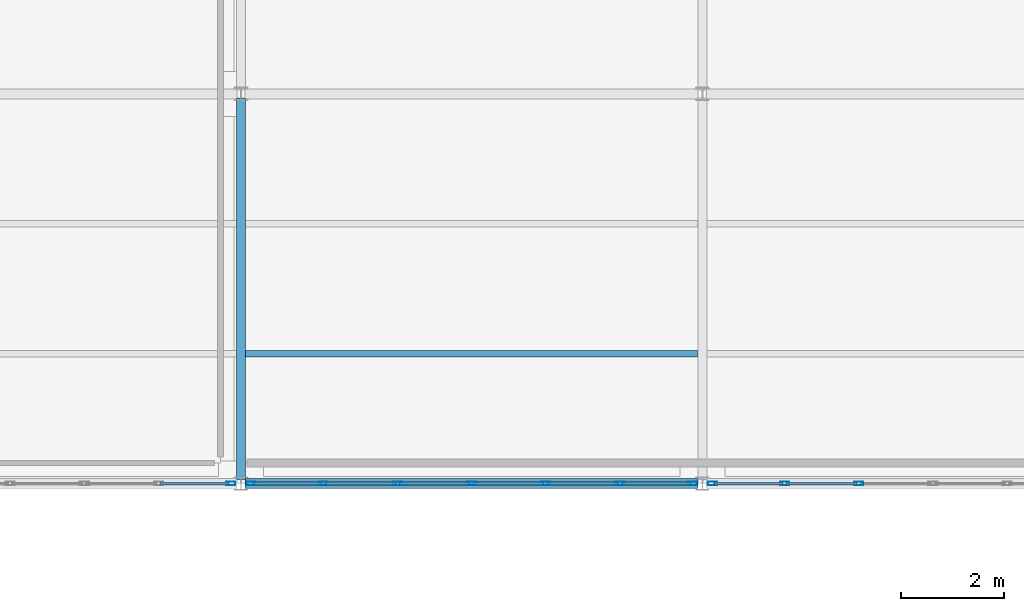
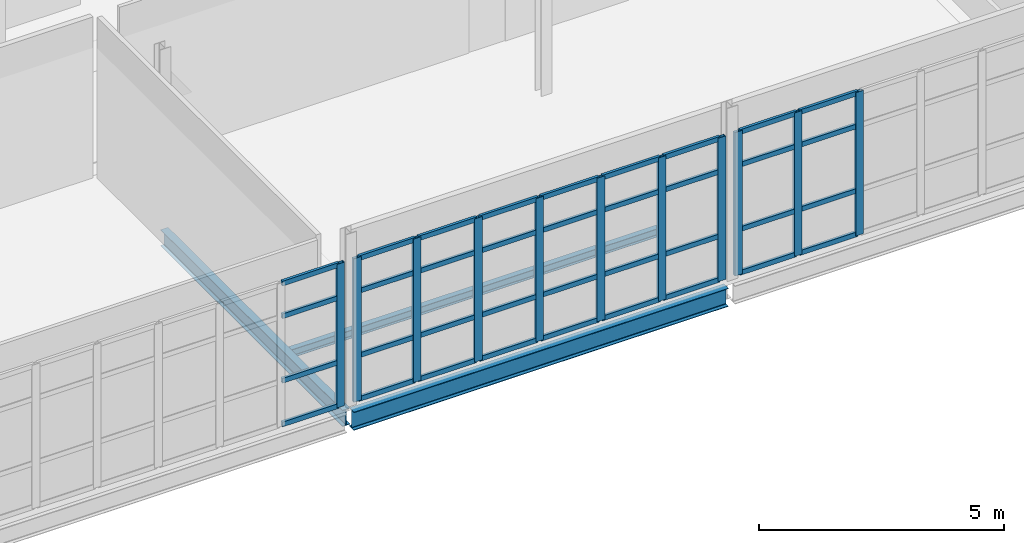
# One storey, part 35 of 96: 47 members, 3 beams, 3 elements without a shape of their own.
"""IFC4 building model written with IfcOpenShell, lengths in metres."""

from ifc_helpers import new_model, si_unit, direction, frame, origin, origin_2d, place, context, subcontext, project, spatial, hollow_rectangle, i_section, extrude, material, material_profile, profile_set, type_object, element, aggregate, save


model = new_model("IFC4")

# Units and contexts
model_context = context("Model", 3, precision=1e-05, world=origin(), true_north=direction((0.0, 1.0)))
body_context = subcontext(model_context, "Body", "Model", "MODEL_VIEW")
ifc_project = project(units=[si_unit("LENGTHUNIT", "METRE"), si_unit("AREAUNIT", "SQUARE_METRE"), si_unit("VOLUMEUNIT", "CUBIC_METRE"), si_unit("PLANEANGLEUNIT", "RADIAN"), si_unit("MASSUNIT", "GRAM", prefix="KILO")], contexts=[model_context])

# Site, building, storey
site_placement = place(None, origin())
site = spatial("IfcSite", under=ifc_project, at=site_placement, CompositionType="ELEMENT")
building_placement = place(site_placement, origin())
building = spatial("IfcBuilding", under=site, at=building_placement, Name="Caisbarro Railhouse Central Library", CompositionType="ELEMENT")
storey_placement = place(building_placement, frame((0.0, 0.0, 13.679931640625)))
storey = spatial("IfcBuildingStorey", under=building, at=storey_placement, Name="L03", CompositionType="ELEMENT", Elevation=13.679931640625)

# Beams
ifc_material_1 = material(Name="Steel ASTM A572 Grade 50", Category="steel")
ifc_material_profile_1 = material_profile(ifc_material_1, i_section(OverallWidth=0.177978515625, OverallDepth=0.406982421875, WebThickness=0.0078125, FlangeThickness=0.0126953125, FilletRadius=0.01611328125, at=origin_2d()), Name="W410X60.0")
ifc_profile_set_1 = profile_set([ifc_material_profile_1], Name="Steel ASTM A572 Grade 50")
beam_type_1 = type_object("IfcBeamType", Name="BM-G10", PredefinedType="BEAM", material=ifc_profile_set_1)
beam_1_placement = place(storey_placement, frame((81.0, 83.679931640625, -0.4033203125), z_axis=(0.0, 1.0, 0.0), x_axis=(-1.0, 0.0, 0.0)))
element("IfcBeam", 1, at=beam_1_placement, inside=storey, type_object=beam_type_1, Name="G10 beam L03 #1984", PredefinedType="BEAM", context=body_context, shape_type="SweptSolid", body=[
    extrude(i_section(OverallWidth=0.177978515625, OverallDepth=0.406982421875, WebThickness=0.0078125, FlangeThickness=0.0126953125, FilletRadius=0.01611328125, at=origin_2d()), origin(), (0.0, 0.0, 1.0), 7.440185546875),
])
ifc_material_profile_2 = material_profile(ifc_material_1, i_section(OverallWidth=0.133056640625, OverallDepth=0.20703125, WebThickness=0.005859375, FlangeThickness=0.00830078125, FilletRadius=0.010009765625, at=origin_2d()), Name="W200X26.6")
ifc_profile_set_2 = profile_set([ifc_material_profile_2], Name="Steel ASTM A572 Grade 50")
beam_type_2 = type_object("IfcBeamType", Name="BM-J07", PredefinedType="JOIST", material=ifc_profile_set_2)
beam_2_placement = place(storey_placement, frame((81.089111328125, 86.13330078125, -0.303466796875), z_axis=(1.0, 0.0, 0.0), x_axis=(0.0, 1.0, 0.0)))
element("IfcBeam", 2, at=beam_2_placement, inside=storey, type_object=beam_type_2, Name="J07 beam L03 #2005", PredefinedType="JOIST", context=body_context, shape_type="SweptSolid", body=[
    extrude(i_section(OverallWidth=0.133056640625, OverallDepth=0.20703125, WebThickness=0.005859375, FlangeThickness=0.00830078125, FilletRadius=0.010009765625, at=origin_2d()), origin(), (0.0, 0.0, 1.0), 8.82177734375),
])
ifc_material_profile_3 = material_profile(ifc_material_1, i_section(OverallWidth=0.18994140625, OverallDepth=0.45703125, WebThickness=0.009033203125, FlangeThickness=0.014404296875, FilletRadius=0.01806640625, at=origin_2d()), Name="W460X74.0")
ifc_profile_set_3 = profile_set([ifc_material_profile_3], Name="Steel ASTM A572 Grade 50")
beam_type_3 = type_object("IfcBeamType", Name="BM-SP01", PredefinedType="SPANDREL", material=ifc_profile_set_3)
beam_3_placement = place(storey_placement, frame((81.080078125, 83.60009765625, -0.428466796875), z_axis=(1.0, 0.0, 0.0), x_axis=(0.0, 1.0, 0.0)))
element("IfcBeam", 3, at=beam_3_placement, inside=storey, type_object=beam_type_3, Name="SP01 beam L03 #1968", PredefinedType="SPANDREL", context=body_context, shape_type="SweptSolid", body=[
    extrude(i_section(OverallWidth=0.18994140625, OverallDepth=0.45703125, WebThickness=0.009033203125, FlangeThickness=0.014404296875, FilletRadius=0.01806640625, at=origin_2d()), origin(), (0.0, 0.0, 1.0), 8.83984375),
])

# Curtain wall, member
ifc_material_2 = material(Name="Anodised architectural aluminium", Category="aluminium")
curtain_wall_type = type_object("IfcCurtainWallType", Name="CW-CW02", PredefinedType="NOTDEFINED", material=ifc_material_2)
curtain_wall_1_placement = place(storey_placement, origin())
curtain_wall_1 = element("IfcCurtainWall", 4, at=curtain_wall_1_placement, inside=storey, type_object=curtain_wall_type, Name="CW02 curtain wall L03 #188", PredefinedType="NOTDEFINED")
ifc_material_profile_4 = material_profile(ifc_material_2, hollow_rectangle(XDim=0.074951171875, YDim=0.179931640625, WallThickness=0.00439453125, at=origin_2d()), Name="ALU-MUL-75X180")
ifc_profile_set_4 = profile_set([ifc_material_profile_4], Name="Anodised architectural aluminium")
member_type_1 = type_object("IfcMemberType", Name="CWM-M01", PredefinedType="MULLION", material=ifc_profile_set_4)
member_1_placement = place(storey_placement, frame((80.802490234375, 83.60009765625, 0.0), z_axis=(0.0, 0.0, 1.0), x_axis=(0.0, 1.0, 0.0)))
member_1 = element("IfcMember", 5, at=member_1_placement, type_object=member_type_1, Name="CW02 mullion 7", PredefinedType="MULLION", context=body_context, shape_type="SweptSolid", body=[
    extrude(hollow_rectangle(XDim=0.074951171875, YDim=0.179931640625, WallThickness=0.00439453125, at=origin_2d()), origin(), (0.0, 0.0, 1.0), 3.580078125),
])

# Curtain wall, members
curtain_wall_2_placement = place(storey_placement, origin())
curtain_wall_2 = element("IfcCurtainWall", 6, at=curtain_wall_2_placement, inside=storey, type_object=curtain_wall_type, Name="CW02 curtain wall L03 #189", PredefinedType="NOTDEFINED")
member_2_placement = place(storey_placement, frame((81.197509765625, 83.60009765625, 0.0), z_axis=(0.0, 0.0, 1.0), x_axis=(0.0, 1.0, 0.0)))
member_2 = element("IfcMember", 7, at=member_2_placement, type_object=member_type_1, Name="CW02 mullion 1", PredefinedType="MULLION", context=body_context, shape_type="SweptSolid", body=[
    extrude(hollow_rectangle(XDim=0.074951171875, YDim=0.179931640625, WallThickness=0.00439453125, at=origin_2d()), origin(), (0.0, 0.0, 1.0), 3.580078125),
])
member_3_placement = place(storey_placement, frame((82.606689453125, 83.60009765625, 0.0), z_axis=(0.0, 0.0, 1.0), x_axis=(0.0, 1.0, 0.0)))
member_3 = element("IfcMember", 8, at=member_3_placement, type_object=member_type_1, Name="CW02 mullion 2", PredefinedType="MULLION", context=body_context, shape_type="SweptSolid", body=[
    extrude(hollow_rectangle(XDim=0.074951171875, YDim=0.179931640625, WallThickness=0.00439453125, at=origin_2d()), origin(), (0.0, 0.0, 1.0), 3.580078125),
])
member_4_placement = place(storey_placement, frame((84.05322265625, 83.60009765625, 0.0), z_axis=(0.0, 0.0, 1.0), x_axis=(0.0, 1.0, 0.0)))
member_4 = element("IfcMember", 9, at=member_4_placement, type_object=member_type_1, Name="CW02 mullion 3", PredefinedType="MULLION", context=body_context, shape_type="SweptSolid", body=[
    extrude(hollow_rectangle(XDim=0.074951171875, YDim=0.179931640625, WallThickness=0.00439453125, at=origin_2d()), origin(), (0.0, 0.0, 1.0), 3.580078125),
])
member_5_placement = place(storey_placement, frame((85.5, 83.60009765625, 0.0), z_axis=(0.0, 0.0, 1.0), x_axis=(0.0, 1.0, 0.0)))
member_5 = element("IfcMember", 10, at=member_5_placement, type_object=member_type_1, Name="CW02 mullion 4", PredefinedType="MULLION", context=body_context, shape_type="SweptSolid", body=[
    extrude(hollow_rectangle(XDim=0.074951171875, YDim=0.179931640625, WallThickness=0.00439453125, at=origin_2d()), origin(), (0.0, 0.0, 1.0), 3.580078125),
])
member_6_placement = place(storey_placement, frame((86.94677734375, 83.60009765625, 0.0), z_axis=(0.0, 0.0, 1.0), x_axis=(0.0, 1.0, 0.0)))
member_6 = element("IfcMember", 11, at=member_6_placement, type_object=member_type_1, Name="CW02 mullion 5", PredefinedType="MULLION", context=body_context, shape_type="SweptSolid", body=[
    extrude(hollow_rectangle(XDim=0.074951171875, YDim=0.179931640625, WallThickness=0.00439453125, at=origin_2d()), origin(), (0.0, 0.0, 1.0), 3.580078125),
])
member_7_placement = place(storey_placement, frame((88.393310546875, 83.60009765625, 0.0), z_axis=(0.0, 0.0, 1.0), x_axis=(0.0, 1.0, 0.0)))
member_7 = element("IfcMember", 12, at=member_7_placement, type_object=member_type_1, Name="CW02 mullion 6", PredefinedType="MULLION", context=body_context, shape_type="SweptSolid", body=[
    extrude(hollow_rectangle(XDim=0.074951171875, YDim=0.179931640625, WallThickness=0.00439453125, at=origin_2d()), origin(), (0.0, 0.0, 1.0), 3.580078125),
])
member_8_placement = place(storey_placement, frame((89.802490234375, 83.60009765625, 0.0), z_axis=(0.0, 0.0, 1.0), x_axis=(0.0, 1.0, 0.0)))
member_8 = element("IfcMember", 13, at=member_8_placement, type_object=member_type_1, Name="CW02 mullion 7", PredefinedType="MULLION", context=body_context, shape_type="SweptSolid", body=[
    extrude(hollow_rectangle(XDim=0.074951171875, YDim=0.179931640625, WallThickness=0.00439453125, at=origin_2d()), origin(), (0.0, 0.0, 1.0), 3.580078125),
])

curtain_wall_3_placement = place(storey_placement, origin())
curtain_wall_3 = element("IfcCurtainWall", 14, at=curtain_wall_3_placement, inside=storey, type_object=curtain_wall_type, Name="CW02 curtain wall L03 #190", PredefinedType="NOTDEFINED")
member_9_placement = place(storey_placement, frame((90.197509765625, 83.60009765625, 0.0), z_axis=(0.0, 0.0, 1.0), x_axis=(0.0, 1.0, 0.0)))
member_9 = element("IfcMember", 15, at=member_9_placement, type_object=member_type_1, Name="CW02 mullion 1", PredefinedType="MULLION", context=body_context, shape_type="SweptSolid", body=[
    extrude(hollow_rectangle(XDim=0.074951171875, YDim=0.179931640625, WallThickness=0.00439453125, at=origin_2d()), origin(), (0.0, 0.0, 1.0), 3.580078125),
])
member_10_placement = place(storey_placement, frame((91.606689453125, 83.60009765625, 0.0), z_axis=(0.0, 0.0, 1.0), x_axis=(0.0, 1.0, 0.0)))
member_10 = element("IfcMember", 16, at=member_10_placement, type_object=member_type_1, Name="CW02 mullion 2", PredefinedType="MULLION", context=body_context, shape_type="SweptSolid", body=[
    extrude(hollow_rectangle(XDim=0.074951171875, YDim=0.179931640625, WallThickness=0.00439453125, at=origin_2d()), origin(), (0.0, 0.0, 1.0), 3.580078125),
])
member_11_placement = place(storey_placement, frame((93.05322265625, 83.60009765625, 0.0), z_axis=(0.0, 0.0, 1.0), x_axis=(0.0, 1.0, 0.0)))
member_11 = element("IfcMember", 17, at=member_11_placement, type_object=member_type_1, Name="CW02 mullion 3", PredefinedType="MULLION", context=body_context, shape_type="SweptSolid", body=[
    extrude(hollow_rectangle(XDim=0.074951171875, YDim=0.179931640625, WallThickness=0.00439453125, at=origin_2d()), origin(), (0.0, 0.0, 1.0), 3.580078125),
])

# Member
ifc_material_profile_5 = material_profile(ifc_material_2, hollow_rectangle(XDim=0.06494140625, YDim=0.1201171875, WallThickness=0.00341796875, at=origin_2d()), Name="ALU-TRN-65X120")
ifc_profile_set_5 = profile_set([ifc_material_profile_5], Name="Anodised architectural aluminium")
member_type_2 = type_object("IfcMemberType", Name="CWT-T02", PredefinedType="USERDEFINED", material=ifc_profile_set_5)
member_12_placement = place(storey_placement, frame((79.430908203125, 83.60009765625, 0.032470703125), z_axis=(1.0, 0.0, 0.0), x_axis=(0.0, 1.0, 0.0)))
member_12 = element("IfcMember", 18, at=member_12_placement, type_object=member_type_2, Name="CW02 transom 6.1", ObjectType="TRANSOM", PredefinedType="USERDEFINED", context=body_context, shape_type="SweptSolid", body=[
    extrude(hollow_rectangle(XDim=0.06494140625, YDim=0.1201171875, WallThickness=0.00341796875, at=origin_2d()), origin(), (0.0, 0.0, 1.0), 1.333984375),
])

member_13_placement = place(storey_placement, frame((79.430908203125, 83.60009765625, 1.1201171875), z_axis=(1.0, 0.0, 0.0), x_axis=(0.0, 1.0, 0.0)))
member_13 = element("IfcMember", 19, at=member_13_placement, type_object=member_type_2, Name="CW02 transom 6.2", ObjectType="TRANSOM", PredefinedType="USERDEFINED", context=body_context, shape_type="SweptSolid", body=[
    extrude(hollow_rectangle(XDim=0.06494140625, YDim=0.1201171875, WallThickness=0.00341796875, at=origin_2d()), origin(), (0.0, 0.0, 1.0), 1.333984375),
])

member_14_placement = place(storey_placement, frame((79.430908203125, 83.60009765625, 2.72998046875), z_axis=(1.0, 0.0, 0.0), x_axis=(0.0, 1.0, 0.0)))
member_14 = element("IfcMember", 20, at=member_14_placement, type_object=member_type_2, Name="CW02 transom 6.3", ObjectType="TRANSOM", PredefinedType="USERDEFINED", context=body_context, shape_type="SweptSolid", body=[
    extrude(hollow_rectangle(XDim=0.06494140625, YDim=0.1201171875, WallThickness=0.00341796875, at=origin_2d()), origin(), (0.0, 0.0, 1.0), 1.333984375),
])

member_15_placement = place(storey_placement, frame((79.430908203125, 83.60009765625, 3.547607421875), z_axis=(1.0, 0.0, 0.0), x_axis=(0.0, 1.0, 0.0)))
member_15 = element("IfcMember", 21, at=member_15_placement, type_object=member_type_2, Name="CW02 transom 6.4", ObjectType="TRANSOM", PredefinedType="USERDEFINED", context=body_context, shape_type="SweptSolid", body=[
    extrude(hollow_rectangle(XDim=0.06494140625, YDim=0.1201171875, WallThickness=0.00341796875, at=origin_2d()), origin(), (0.0, 0.0, 1.0), 1.333984375),
])

aggregate(curtain_wall_1, [member_1, member_12, member_13, member_14, member_15])

member_16_placement = place(storey_placement, frame((81.235107421875, 83.60009765625, 0.032470703125), z_axis=(1.0, 0.0, 0.0), x_axis=(0.0, 1.0, 0.0)))
member_16 = element("IfcMember", 22, at=member_16_placement, type_object=member_type_2, Name="CW02 transom 1.1", ObjectType="TRANSOM", PredefinedType="USERDEFINED", context=body_context, shape_type="SweptSolid", body=[
    extrude(hollow_rectangle(XDim=0.06494140625, YDim=0.1201171875, WallThickness=0.00341796875, at=origin_2d()), origin(), (0.0, 0.0, 1.0), 1.333984375),
])

member_17_placement = place(storey_placement, frame((81.235107421875, 83.60009765625, 1.1201171875), z_axis=(1.0, 0.0, 0.0), x_axis=(0.0, 1.0, 0.0)))
member_17 = element("IfcMember", 23, at=member_17_placement, type_object=member_type_2, Name="CW02 transom 1.2", ObjectType="TRANSOM", PredefinedType="USERDEFINED", context=body_context, shape_type="SweptSolid", body=[
    extrude(hollow_rectangle(XDim=0.06494140625, YDim=0.1201171875, WallThickness=0.00341796875, at=origin_2d()), origin(), (0.0, 0.0, 1.0), 1.333984375),
])

member_18_placement = place(storey_placement, frame((81.235107421875, 83.60009765625, 2.72998046875), z_axis=(1.0, 0.0, 0.0), x_axis=(0.0, 1.0, 0.0)))
member_18 = element("IfcMember", 24, at=member_18_placement, type_object=member_type_2, Name="CW02 transom 1.3", ObjectType="TRANSOM", PredefinedType="USERDEFINED", context=body_context, shape_type="SweptSolid", body=[
    extrude(hollow_rectangle(XDim=0.06494140625, YDim=0.1201171875, WallThickness=0.00341796875, at=origin_2d()), origin(), (0.0, 0.0, 1.0), 1.333984375),
])

member_19_placement = place(storey_placement, frame((81.235107421875, 83.60009765625, 3.547607421875), z_axis=(1.0, 0.0, 0.0), x_axis=(0.0, 1.0, 0.0)))
member_19 = element("IfcMember", 25, at=member_19_placement, type_object=member_type_2, Name="CW02 transom 1.4", ObjectType="TRANSOM", PredefinedType="USERDEFINED", context=body_context, shape_type="SweptSolid", body=[
    extrude(hollow_rectangle(XDim=0.06494140625, YDim=0.1201171875, WallThickness=0.00341796875, at=origin_2d()), origin(), (0.0, 0.0, 1.0), 1.333984375),
])

member_20_placement = place(storey_placement, frame((82.644287109375, 83.60009765625, 0.032470703125), z_axis=(1.0, 0.0, 0.0), x_axis=(0.0, 1.0, 0.0)))
member_20 = element("IfcMember", 26, at=member_20_placement, type_object=member_type_2, Name="CW02 transom 2.1", ObjectType="TRANSOM", PredefinedType="USERDEFINED", context=body_context, shape_type="SweptSolid", body=[
    extrude(hollow_rectangle(XDim=0.06494140625, YDim=0.1201171875, WallThickness=0.00341796875, at=origin_2d()), origin(), (0.0, 0.0, 1.0), 1.37158203125),
])

member_21_placement = place(storey_placement, frame((82.644287109375, 83.60009765625, 1.1201171875), z_axis=(1.0, 0.0, 0.0), x_axis=(0.0, 1.0, 0.0)))
member_21 = element("IfcMember", 27, at=member_21_placement, type_object=member_type_2, Name="CW02 transom 2.2", ObjectType="TRANSOM", PredefinedType="USERDEFINED", context=body_context, shape_type="SweptSolid", body=[
    extrude(hollow_rectangle(XDim=0.06494140625, YDim=0.1201171875, WallThickness=0.00341796875, at=origin_2d()), origin(), (0.0, 0.0, 1.0), 1.37158203125),
])

member_22_placement = place(storey_placement, frame((82.644287109375, 83.60009765625, 2.72998046875), z_axis=(1.0, 0.0, 0.0), x_axis=(0.0, 1.0, 0.0)))
member_22 = element("IfcMember", 28, at=member_22_placement, type_object=member_type_2, Name="CW02 transom 2.3", ObjectType="TRANSOM", PredefinedType="USERDEFINED", context=body_context, shape_type="SweptSolid", body=[
    extrude(hollow_rectangle(XDim=0.06494140625, YDim=0.1201171875, WallThickness=0.00341796875, at=origin_2d()), origin(), (0.0, 0.0, 1.0), 1.37158203125),
])

member_23_placement = place(storey_placement, frame((82.644287109375, 83.60009765625, 3.547607421875), z_axis=(1.0, 0.0, 0.0), x_axis=(0.0, 1.0, 0.0)))
member_23 = element("IfcMember", 29, at=member_23_placement, type_object=member_type_2, Name="CW02 transom 2.4", ObjectType="TRANSOM", PredefinedType="USERDEFINED", context=body_context, shape_type="SweptSolid", body=[
    extrude(hollow_rectangle(XDim=0.06494140625, YDim=0.1201171875, WallThickness=0.00341796875, at=origin_2d()), origin(), (0.0, 0.0, 1.0), 1.37158203125),
])

member_24_placement = place(storey_placement, frame((84.0908203125, 83.60009765625, 0.032470703125), z_axis=(1.0, 0.0, 0.0), x_axis=(0.0, 1.0, 0.0)))
member_24 = element("IfcMember", 30, at=member_24_placement, type_object=member_type_2, Name="CW02 transom 3.1", ObjectType="TRANSOM", PredefinedType="USERDEFINED", context=body_context, shape_type="SweptSolid", body=[
    extrude(hollow_rectangle(XDim=0.06494140625, YDim=0.1201171875, WallThickness=0.00341796875, at=origin_2d()), origin(), (0.0, 0.0, 1.0), 1.37158203125),
])

member_25_placement = place(storey_placement, frame((84.0908203125, 83.60009765625, 1.1201171875), z_axis=(1.0, 0.0, 0.0), x_axis=(0.0, 1.0, 0.0)))
member_25 = element("IfcMember", 31, at=member_25_placement, type_object=member_type_2, Name="CW02 transom 3.2", ObjectType="TRANSOM", PredefinedType="USERDEFINED", context=body_context, shape_type="SweptSolid", body=[
    extrude(hollow_rectangle(XDim=0.06494140625, YDim=0.1201171875, WallThickness=0.00341796875, at=origin_2d()), origin(), (0.0, 0.0, 1.0), 1.37158203125),
])

member_26_placement = place(storey_placement, frame((84.0908203125, 83.60009765625, 2.72998046875), z_axis=(1.0, 0.0, 0.0), x_axis=(0.0, 1.0, 0.0)))
member_26 = element("IfcMember", 32, at=member_26_placement, type_object=member_type_2, Name="CW02 transom 3.3", ObjectType="TRANSOM", PredefinedType="USERDEFINED", context=body_context, shape_type="SweptSolid", body=[
    extrude(hollow_rectangle(XDim=0.06494140625, YDim=0.1201171875, WallThickness=0.00341796875, at=origin_2d()), origin(), (0.0, 0.0, 1.0), 1.37158203125),
])

member_27_placement = place(storey_placement, frame((84.0908203125, 83.60009765625, 3.547607421875), z_axis=(1.0, 0.0, 0.0), x_axis=(0.0, 1.0, 0.0)))
member_27 = element("IfcMember", 33, at=member_27_placement, type_object=member_type_2, Name="CW02 transom 3.4", ObjectType="TRANSOM", PredefinedType="USERDEFINED", context=body_context, shape_type="SweptSolid", body=[
    extrude(hollow_rectangle(XDim=0.06494140625, YDim=0.1201171875, WallThickness=0.00341796875, at=origin_2d()), origin(), (0.0, 0.0, 1.0), 1.37158203125),
])

member_28_placement = place(storey_placement, frame((85.53759765625, 83.60009765625, 0.032470703125), z_axis=(1.0, 0.0, 0.0), x_axis=(0.0, 1.0, 0.0)))
member_28 = element("IfcMember", 34, at=member_28_placement, type_object=member_type_2, Name="CW02 transom 4.1", ObjectType="TRANSOM", PredefinedType="USERDEFINED", context=body_context, shape_type="SweptSolid", body=[
    extrude(hollow_rectangle(XDim=0.06494140625, YDim=0.1201171875, WallThickness=0.00341796875, at=origin_2d()), origin(), (0.0, 0.0, 1.0), 1.37158203125),
])

member_29_placement = place(storey_placement, frame((85.53759765625, 83.60009765625, 1.1201171875), z_axis=(1.0, 0.0, 0.0), x_axis=(0.0, 1.0, 0.0)))
member_29 = element("IfcMember", 35, at=member_29_placement, type_object=member_type_2, Name="CW02 transom 4.2", ObjectType="TRANSOM", PredefinedType="USERDEFINED", context=body_context, shape_type="SweptSolid", body=[
    extrude(hollow_rectangle(XDim=0.06494140625, YDim=0.1201171875, WallThickness=0.00341796875, at=origin_2d()), origin(), (0.0, 0.0, 1.0), 1.37158203125),
])

member_30_placement = place(storey_placement, frame((85.53759765625, 83.60009765625, 2.72998046875), z_axis=(1.0, 0.0, 0.0), x_axis=(0.0, 1.0, 0.0)))
member_30 = element("IfcMember", 36, at=member_30_placement, type_object=member_type_2, Name="CW02 transom 4.3", ObjectType="TRANSOM", PredefinedType="USERDEFINED", context=body_context, shape_type="SweptSolid", body=[
    extrude(hollow_rectangle(XDim=0.06494140625, YDim=0.1201171875, WallThickness=0.00341796875, at=origin_2d()), origin(), (0.0, 0.0, 1.0), 1.37158203125),
])

member_31_placement = place(storey_placement, frame((85.53759765625, 83.60009765625, 3.547607421875), z_axis=(1.0, 0.0, 0.0), x_axis=(0.0, 1.0, 0.0)))
member_31 = element("IfcMember", 37, at=member_31_placement, type_object=member_type_2, Name="CW02 transom 4.4", ObjectType="TRANSOM", PredefinedType="USERDEFINED", context=body_context, shape_type="SweptSolid", body=[
    extrude(hollow_rectangle(XDim=0.06494140625, YDim=0.1201171875, WallThickness=0.00341796875, at=origin_2d()), origin(), (0.0, 0.0, 1.0), 1.37158203125),
])

member_32_placement = place(storey_placement, frame((86.984130859375, 83.60009765625, 0.032470703125), z_axis=(1.0, 0.0, 0.0), x_axis=(0.0, 1.0, 0.0)))
member_32 = element("IfcMember", 38, at=member_32_placement, type_object=member_type_2, Name="CW02 transom 5.1", ObjectType="TRANSOM", PredefinedType="USERDEFINED", context=body_context, shape_type="SweptSolid", body=[
    extrude(hollow_rectangle(XDim=0.06494140625, YDim=0.1201171875, WallThickness=0.00341796875, at=origin_2d()), origin(), (0.0, 0.0, 1.0), 1.37158203125),
])

member_33_placement = place(storey_placement, frame((86.984130859375, 83.60009765625, 1.1201171875), z_axis=(1.0, 0.0, 0.0), x_axis=(0.0, 1.0, 0.0)))
member_33 = element("IfcMember", 39, at=member_33_placement, type_object=member_type_2, Name="CW02 transom 5.2", ObjectType="TRANSOM", PredefinedType="USERDEFINED", context=body_context, shape_type="SweptSolid", body=[
    extrude(hollow_rectangle(XDim=0.06494140625, YDim=0.1201171875, WallThickness=0.00341796875, at=origin_2d()), origin(), (0.0, 0.0, 1.0), 1.37158203125),
])

member_34_placement = place(storey_placement, frame((86.984130859375, 83.60009765625, 2.72998046875), z_axis=(1.0, 0.0, 0.0), x_axis=(0.0, 1.0, 0.0)))
member_34 = element("IfcMember", 40, at=member_34_placement, type_object=member_type_2, Name="CW02 transom 5.3", ObjectType="TRANSOM", PredefinedType="USERDEFINED", context=body_context, shape_type="SweptSolid", body=[
    extrude(hollow_rectangle(XDim=0.06494140625, YDim=0.1201171875, WallThickness=0.00341796875, at=origin_2d()), origin(), (0.0, 0.0, 1.0), 1.37158203125),
])

member_35_placement = place(storey_placement, frame((86.984130859375, 83.60009765625, 3.547607421875), z_axis=(1.0, 0.0, 0.0), x_axis=(0.0, 1.0, 0.0)))
member_35 = element("IfcMember", 41, at=member_35_placement, type_object=member_type_2, Name="CW02 transom 5.4", ObjectType="TRANSOM", PredefinedType="USERDEFINED", context=body_context, shape_type="SweptSolid", body=[
    extrude(hollow_rectangle(XDim=0.06494140625, YDim=0.1201171875, WallThickness=0.00341796875, at=origin_2d()), origin(), (0.0, 0.0, 1.0), 1.37158203125),
])

member_36_placement = place(storey_placement, frame((88.430908203125, 83.60009765625, 0.032470703125), z_axis=(1.0, 0.0, 0.0), x_axis=(0.0, 1.0, 0.0)))
member_36 = element("IfcMember", 42, at=member_36_placement, type_object=member_type_2, Name="CW02 transom 6.1", ObjectType="TRANSOM", PredefinedType="USERDEFINED", context=body_context, shape_type="SweptSolid", body=[
    extrude(hollow_rectangle(XDim=0.06494140625, YDim=0.1201171875, WallThickness=0.00341796875, at=origin_2d()), origin(), (0.0, 0.0, 1.0), 1.333984375),
])

member_37_placement = place(storey_placement, frame((88.430908203125, 83.60009765625, 1.1201171875), z_axis=(1.0, 0.0, 0.0), x_axis=(0.0, 1.0, 0.0)))
member_37 = element("IfcMember", 43, at=member_37_placement, type_object=member_type_2, Name="CW02 transom 6.2", ObjectType="TRANSOM", PredefinedType="USERDEFINED", context=body_context, shape_type="SweptSolid", body=[
    extrude(hollow_rectangle(XDim=0.06494140625, YDim=0.1201171875, WallThickness=0.00341796875, at=origin_2d()), origin(), (0.0, 0.0, 1.0), 1.333984375),
])

member_38_placement = place(storey_placement, frame((88.430908203125, 83.60009765625, 2.72998046875), z_axis=(1.0, 0.0, 0.0), x_axis=(0.0, 1.0, 0.0)))
member_38 = element("IfcMember", 44, at=member_38_placement, type_object=member_type_2, Name="CW02 transom 6.3", ObjectType="TRANSOM", PredefinedType="USERDEFINED", context=body_context, shape_type="SweptSolid", body=[
    extrude(hollow_rectangle(XDim=0.06494140625, YDim=0.1201171875, WallThickness=0.00341796875, at=origin_2d()), origin(), (0.0, 0.0, 1.0), 1.333984375),
])

member_39_placement = place(storey_placement, frame((88.430908203125, 83.60009765625, 3.547607421875), z_axis=(1.0, 0.0, 0.0), x_axis=(0.0, 1.0, 0.0)))
member_39 = element("IfcMember", 45, at=member_39_placement, type_object=member_type_2, Name="CW02 transom 6.4", ObjectType="TRANSOM", PredefinedType="USERDEFINED", context=body_context, shape_type="SweptSolid", body=[
    extrude(hollow_rectangle(XDim=0.06494140625, YDim=0.1201171875, WallThickness=0.00341796875, at=origin_2d()), origin(), (0.0, 0.0, 1.0), 1.333984375),
])

aggregate(curtain_wall_2, [member_2, member_3, member_4, member_5, member_6, member_7, member_8, member_16, member_17, member_18, member_19, member_20, member_21, member_22, member_23, member_24, member_25, member_26, member_27, member_28, member_29, member_30, member_31, member_32, member_33, member_34, member_35, member_36, member_37, member_38, member_39])

member_40_placement = place(storey_placement, frame((90.235107421875, 83.60009765625, 0.032470703125), z_axis=(1.0, 0.0, 0.0), x_axis=(0.0, 1.0, 0.0)))
member_40 = element("IfcMember", 46, at=member_40_placement, type_object=member_type_2, Name="CW02 transom 1.1", ObjectType="TRANSOM", PredefinedType="USERDEFINED", context=body_context, shape_type="SweptSolid", body=[
    extrude(hollow_rectangle(XDim=0.06494140625, YDim=0.1201171875, WallThickness=0.00341796875, at=origin_2d()), origin(), (0.0, 0.0, 1.0), 1.333984375),
])

member_41_placement = place(storey_placement, frame((90.235107421875, 83.60009765625, 1.1201171875), z_axis=(1.0, 0.0, 0.0), x_axis=(0.0, 1.0, 0.0)))
member_41 = element("IfcMember", 47, at=member_41_placement, type_object=member_type_2, Name="CW02 transom 1.2", ObjectType="TRANSOM", PredefinedType="USERDEFINED", context=body_context, shape_type="SweptSolid", body=[
    extrude(hollow_rectangle(XDim=0.06494140625, YDim=0.1201171875, WallThickness=0.00341796875, at=origin_2d()), origin(), (0.0, 0.0, 1.0), 1.333984375),
])

member_42_placement = place(storey_placement, frame((90.235107421875, 83.60009765625, 2.72998046875), z_axis=(1.0, 0.0, 0.0), x_axis=(0.0, 1.0, 0.0)))
member_42 = element("IfcMember", 48, at=member_42_placement, type_object=member_type_2, Name="CW02 transom 1.3", ObjectType="TRANSOM", PredefinedType="USERDEFINED", context=body_context, shape_type="SweptSolid", body=[
    extrude(hollow_rectangle(XDim=0.06494140625, YDim=0.1201171875, WallThickness=0.00341796875, at=origin_2d()), origin(), (0.0, 0.0, 1.0), 1.333984375),
])

member_43_placement = place(storey_placement, frame((90.235107421875, 83.60009765625, 3.547607421875), z_axis=(1.0, 0.0, 0.0), x_axis=(0.0, 1.0, 0.0)))
member_43 = element("IfcMember", 49, at=member_43_placement, type_object=member_type_2, Name="CW02 transom 1.4", ObjectType="TRANSOM", PredefinedType="USERDEFINED", context=body_context, shape_type="SweptSolid", body=[
    extrude(hollow_rectangle(XDim=0.06494140625, YDim=0.1201171875, WallThickness=0.00341796875, at=origin_2d()), origin(), (0.0, 0.0, 1.0), 1.333984375),
])

member_44_placement = place(storey_placement, frame((91.644287109375, 83.60009765625, 0.032470703125), z_axis=(1.0, 0.0, 0.0), x_axis=(0.0, 1.0, 0.0)))
member_44 = element("IfcMember", 50, at=member_44_placement, type_object=member_type_2, Name="CW02 transom 2.1", ObjectType="TRANSOM", PredefinedType="USERDEFINED", context=body_context, shape_type="SweptSolid", body=[
    extrude(hollow_rectangle(XDim=0.06494140625, YDim=0.1201171875, WallThickness=0.00341796875, at=origin_2d()), origin(), (0.0, 0.0, 1.0), 1.37158203125),
])

member_45_placement = place(storey_placement, frame((91.644287109375, 83.60009765625, 1.1201171875), z_axis=(1.0, 0.0, 0.0), x_axis=(0.0, 1.0, 0.0)))
member_45 = element("IfcMember", 51, at=member_45_placement, type_object=member_type_2, Name="CW02 transom 2.2", ObjectType="TRANSOM", PredefinedType="USERDEFINED", context=body_context, shape_type="SweptSolid", body=[
    extrude(hollow_rectangle(XDim=0.06494140625, YDim=0.1201171875, WallThickness=0.00341796875, at=origin_2d()), origin(), (0.0, 0.0, 1.0), 1.37158203125),
])

member_46_placement = place(storey_placement, frame((91.644287109375, 83.60009765625, 2.72998046875), z_axis=(1.0, 0.0, 0.0), x_axis=(0.0, 1.0, 0.0)))
member_46 = element("IfcMember", 52, at=member_46_placement, type_object=member_type_2, Name="CW02 transom 2.3", ObjectType="TRANSOM", PredefinedType="USERDEFINED", context=body_context, shape_type="SweptSolid", body=[
    extrude(hollow_rectangle(XDim=0.06494140625, YDim=0.1201171875, WallThickness=0.00341796875, at=origin_2d()), origin(), (0.0, 0.0, 1.0), 1.37158203125),
])

member_47_placement = place(storey_placement, frame((91.644287109375, 83.60009765625, 3.547607421875), z_axis=(1.0, 0.0, 0.0), x_axis=(0.0, 1.0, 0.0)))
member_47 = element("IfcMember", 53, at=member_47_placement, type_object=member_type_2, Name="CW02 transom 2.4", ObjectType="TRANSOM", PredefinedType="USERDEFINED", context=body_context, shape_type="SweptSolid", body=[
    extrude(hollow_rectangle(XDim=0.06494140625, YDim=0.1201171875, WallThickness=0.00341796875, at=origin_2d()), origin(), (0.0, 0.0, 1.0), 1.37158203125),
])

aggregate(curtain_wall_3, [member_9, member_10, member_11, member_40, member_41, member_42, member_43, member_44, member_45, member_46, member_47])

save(model, "model.ifc")
